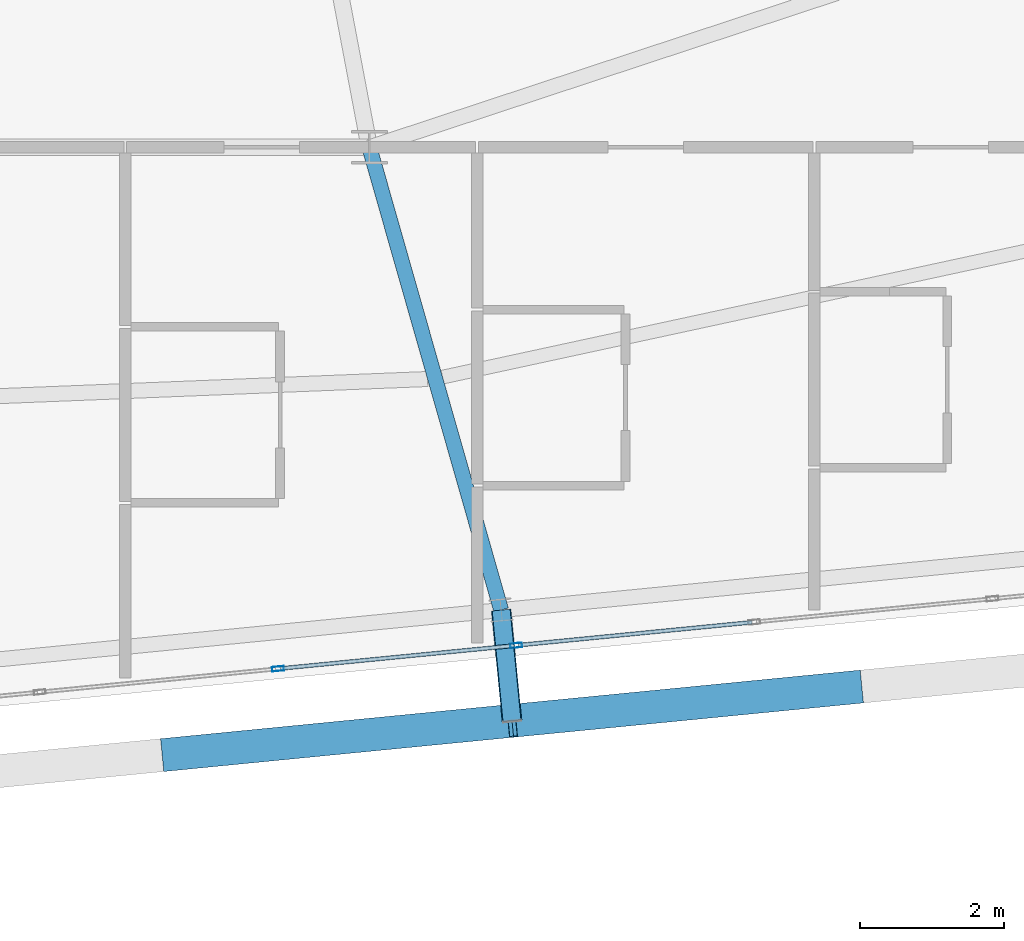
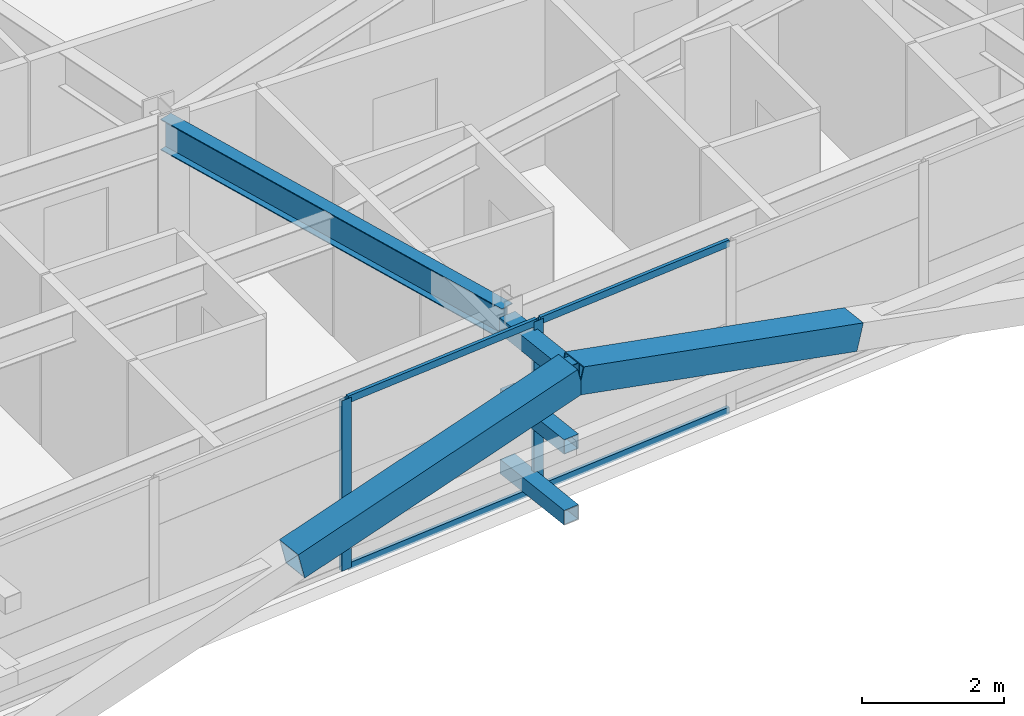
# One storey, part 17 of 54: 11 members, 1 beam, 1 element without a shape of its own.
"""IFC4 building model written with IfcOpenShell, lengths in metres."""

from ifc_helpers import new_model, si_unit, direction, frame, origin, origin_2d, place, context, subcontext, project, spatial, hollow_rectangle, i_section, extrude, source, transform, mapped, material, layer, layer_set, material_profile, profile_set, type_object, element, aggregate, save


model = new_model("IFC4")

# Units and contexts
model_context = context("Model", 3, precision=1e-05, world=origin(), true_north=direction((0.0, 1.0)))
body_context = subcontext(model_context, "Body", "Model", "MODEL_VIEW")
ifc_project = project(units=[si_unit("LENGTHUNIT", "METRE"), si_unit("AREAUNIT", "SQUARE_METRE"), si_unit("VOLUMEUNIT", "CUBIC_METRE"), si_unit("PLANEANGLEUNIT", "RADIAN"), si_unit("MASSUNIT", "GRAM", prefix="KILO")], contexts=[model_context])

# Site, building, storey
site_placement = place(None, origin())
site = spatial("IfcSite", under=ifc_project, at=site_placement, CompositionType="ELEMENT")
building_placement = place(site_placement, origin())
building = spatial("IfcBuilding", under=site, at=building_placement, Name="Taldren Reach Tower", CompositionType="ELEMENT")
storey_placement = place(building_placement, frame((0.0, 0.0, 99.75)))
storey = spatial("IfcBuildingStorey", under=building, at=storey_placement, Name="L30", CompositionType="ELEMENT", Elevation=99.75)

# Members
ifc_material_1 = material(Name="Steel Gr 450 (C450L0)", Category="steel")
ifc_material_profile_1 = material_profile(ifc_material_1, hollow_rectangle(XDim=0.27490234375, YDim=0.27490234375, WallThickness=0.00927734375, at=origin_2d()), Name="275x275x9.3SHS")
ifc_profile_set_1 = profile_set([ifc_material_profile_1], Name="Steel Gr 450 (C450L0)")
member_type_1 = type_object("IfcMemberType", Name="MB-TIE273", PredefinedType="STRUT", material=ifc_profile_set_1)
shared_shape_1 = source(origin(), body_context, "Body", "SweptSolid", [
    extrude(hollow_rectangle(XDim=0.27490234375, YDim=0.27490234375, WallThickness=0.00927734375, at=origin_2d()), origin(), (0.0, 0.0, 1.0), 1.5498046875),
])
member_1_placement = place(storey_placement, frame((43.83544921875, 2.75390625, 2.64990234375), z_axis=(0.097663201064, -0.995219523099, 0.0), x_axis=(0.995219523099, 0.097663201064, 0.0)))
element("IfcMember", 1, at=member_1_placement, inside=storey, type_object=member_type_1, Name="Exoskeleton diaphragm tie strut B2-S4 L30", PredefinedType="STRUT", context=body_context, shape_type="MappedRepresentation", body=[
    mapped(shared_shape_1, transform((0.0, 0.0, 0.0), scale=1.0)),
])
ifc_material_2 = material(Name="Steel Gr 350 (C350L0)", Category="steel")
ifc_material_profile_2 = material_profile(ifc_material_2, hollow_rectangle(XDim=0.25, YDim=0.25, WallThickness=0.010009765625, at=origin_2d()), Name="250x250x10.0SHS")
ifc_profile_set_2 = profile_set([ifc_material_profile_2], Name="Steel Gr 350 (C350L0)")
member_type_2 = type_object("IfcMemberType", Name="MB-POST250", PredefinedType="POST", material=ifc_profile_set_2)
shared_shape_2 = source(origin(), body_context, "Body", "SweptSolid", [
    extrude(hollow_rectangle(XDim=0.25, YDim=0.25, WallThickness=0.010009765625, at=origin_2d()), origin(), (0.0, 0.0, 1.0), 1.5498046875),
])
for number, where, z_axis, x_axis, name in (
    (2, (43.83544921875, 2.75390625, 0.219970703125), (0.097663201064, -0.995219523099, 0.0), (0.995219523099, 0.097663201064, 0.0), "Exoskeleton base diaphragm tie strut B2-S4 L30"),
    (3, (43.83544921875, 2.75390625, 1.43505859375), (0.097663201064, -0.995219523099, 0.0), (0.995219523099, 0.097663201064, 0.0), "Exoskeleton mid-tier diaphragm tie B2-S4 L30"),
):
    element("IfcMember", number, at=place(storey_placement, frame(where, z_axis=z_axis, x_axis=x_axis)), inside=storey, type_object=member_type_2, Name=name, PredefinedType="POST", context=body_context, shape_type="MappedRepresentation", body=[
        mapped(shared_shape_2, transform((0.0, 0.0, 0.0), scale=1.0)),
    ])

# Beam
ifc_material_3 = material(Name="Steel Gr 350 (350PLUS)", Category="steel")
ifc_material_profile_3 = material_profile(ifc_material_3, i_section(OverallWidth=0.208984375, OverallDepth=0.532958984375, WebThickness=0.01025390625, FlangeThickness=0.015625, at=origin_2d()), Name="530UB92.4")
ifc_profile_set_3 = profile_set([ifc_material_profile_3], Name="Steel Gr 350 (350PLUS)")
beam_type = type_object("IfcBeamType", Name="BM-UB530A", PredefinedType="BEAM", material=ifc_profile_set_3)
shared_shape_3 = source(origin(), body_context, "Body", "SweptSolid", [
    extrude(i_section(OverallWidth=0.208984375, OverallDepth=0.532958984375, WebThickness=0.01025390625, FlangeThickness=0.015625, at=origin_2d()), origin(), (0.0, 0.0, 1.0), 6.7021484375),
])
beam_placement = place(storey_placement, frame((42.0, 9.199951171875, 2.66357421875), z_axis=(0.273855026091, -0.961770983491, 0.0), x_axis=(0.961770983491, 0.273855026091, 0.0)))
element("IfcBeam", 4, at=beam_placement, inside=storey, type_object=beam_type, Name="Primary floor girder B2-S4 L30", PredefinedType="BEAM", context=body_context, shape_type="MappedRepresentation", body=[
    mapped(shared_shape_3, transform((0.0, 0.0, 0.0), scale=1.0)),
])

# Members
ifc_material_profile_4 = material_profile(ifc_material_1, hollow_rectangle(XDim=0.4599609375, YDim=0.4599609375, WallThickness=0.01611328125, at=origin_2d()), Name="460x460x16.0SHS")
ifc_profile_set_4 = profile_set([ifc_material_profile_4], Name="Steel Gr 450 (C450L0)")
member_type_3 = type_object("IfcMemberType", Name="MB-EXO457", PredefinedType="BRACE", material=ifc_profile_set_4)
shared_shape_4 = source(origin(), body_context, "Body", "SweptSolid", [
    extrude(hollow_rectangle(XDim=0.4599609375, YDim=0.4599609375, WallThickness=0.01611328125, at=origin_2d()), origin(), (0.0, 0.0, 1.0), 4.990234375),
])
for number, where, z_axis, x_axis, name in (
    (5, (39.169921875, 0.739013671875, 1.43505859375), (0.965282554799, 0.094669120301, 0.243448859234), (-0.097605711627, 0.995225162995, 0.0), "Exoskeleton Diagrid Brace B2-S3 L30"),
    (6, (48.8037109375, 1.68359375, 1.43505859375), (-0.965287024526, -0.094620633828, 0.24344998652), (0.097555749586, -0.995230061706, 0.0), "Exoskeleton Diagrid Brace B2-S4 L30"),
):
    element("IfcMember", number, at=place(storey_placement, frame(where, z_axis=z_axis, x_axis=x_axis)), inside=storey, type_object=member_type_3, Name=name, PredefinedType="BRACE", context=body_context, shape_type="MappedRepresentation", body=[
        mapped(shared_shape_4, transform((0.0, 0.0, 0.0), scale=1.0)),
    ])

# Curtain wall, members
ifc_material_4 = material(Name="Aluminium and Low-E Glass Unitised System", Category="aluminium")
ifc_layer = layer(ifc_material_4, 0.159912109375)
ifc_layer_set = layer_set([ifc_layer], Name="Aluminium and Low-E Glass Unitised System")
curtain_wall_type = type_object("IfcCurtainWallType", Name="CW-SYS-3", PredefinedType="NOTDEFINED", material=ifc_layer_set)
curtain_wall_placement = place(storey_placement, origin())
curtain_wall = element("IfcCurtainWall", 7, at=curtain_wall_placement, inside=storey, type_object=curtain_wall_type, Name="Unitised curtain wall CW-L30-S", PredefinedType="NOTDEFINED")
ifc_material_5 = material(Name="Anodised Aluminium 6063-T6", Category="aluminium")
ifc_material_profile_5 = material_profile(ifc_material_5, hollow_rectangle(XDim=0.06494140625, YDim=0.1650390625, WallThickness=0.00390625, at=origin_2d()), Name="ALU-165x65x4RHS")
ifc_profile_set_5 = profile_set([ifc_material_profile_5], Name="Anodised Aluminium 6063-T6")
member_type_4 = type_object("IfcMemberType", Name="CW-MUL-165", PredefinedType="MULLION", material=ifc_profile_set_5)
shared_shape_5 = source(origin(), body_context, "Body", "SweptSolid", [
    extrude(hollow_rectangle(XDim=0.06494140625, YDim=0.1650390625, WallThickness=0.00390625, at=origin_2d()), origin(), (0.0, 0.0, 1.0), 2.929931640625),
])
member_2_placement = place(storey_placement, frame((40.72705078125, 1.936767578125, 0.0), z_axis=(0.0, 0.0, 1.0), x_axis=(-0.097582999046, 0.995227390247, 0.0)))
member_2 = element("IfcMember", 8, at=member_2_placement, type_object=member_type_4, Name="CW-3 mullion 9", PredefinedType="MULLION", context=body_context, shape_type="MappedRepresentation", body=[
    mapped(shared_shape_5, transform((0.0, 0.0, 0.0), scale=1.0)),
])
member_3_placement = place(storey_placement, frame((44.044677734375, 2.261962890625, 0.0), z_axis=(0.0, 0.0, 1.0), x_axis=(-0.097582999046, 0.995227390247, 0.0)))
member_3 = element("IfcMember", 9, at=member_3_placement, type_object=member_type_4, Name="CW-3 mullion 10", PredefinedType="MULLION", context=body_context, shape_type="MappedRepresentation", body=[
    mapped(shared_shape_5, transform((0.0, 0.0, 0.0), scale=1.0)),
])
ifc_material_profile_6 = material_profile(ifc_material_5, hollow_rectangle(XDim=0.054931640625, YDim=0.1201171875, WallThickness=0.0029296875, at=origin_2d()), Name="ALU-120x55x3RHS")
ifc_profile_set_6 = profile_set([ifc_material_profile_6], Name="Anodised Aluminium 6063-T6")
member_type_5 = type_object("IfcMemberType", Name="CW-TRN-135", PredefinedType="USERDEFINED", material=ifc_profile_set_6)
shared_shape_6 = source(origin(), body_context, "Body", "SweptSolid", [
    extrude(hollow_rectangle(XDim=0.054931640625, YDim=0.1201171875, WallThickness=0.0029296875, at=origin_2d()), origin(), (0.0, 0.0, 1.0), 3.268310546875),
])
member_4_placement = place(storey_placement, frame((40.759521484375, 1.93994140625, 0.027587890625), z_axis=(0.99522980512, 0.097558367146, 0.0), x_axis=(-0.097558367146, 0.99522980512, 0.0)))
member_4 = element("IfcMember", 10, at=member_4_placement, type_object=member_type_5, Name="CW-3 transom 9.1", ObjectType="TRANSOM", PredefinedType="USERDEFINED", context=body_context, shape_type="MappedRepresentation", body=[
    mapped(shared_shape_6, transform((0.0, 0.0, 0.0), scale=1.0)),
])
member_5_placement = place(storey_placement, frame((40.759521484375, 1.93994140625, 2.902587890625), z_axis=(0.99522980512, 0.097558367146, 0.0), x_axis=(-0.097558367146, 0.99522980512, 0.0)))
member_5 = element("IfcMember", 11, at=member_5_placement, type_object=member_type_5, Name="CW-3 transom 9.2", ObjectType="TRANSOM", PredefinedType="USERDEFINED", context=body_context, shape_type="MappedRepresentation", body=[
    mapped(shared_shape_6, transform((0.0, 0.0, 0.0), scale=1.0)),
])
member_6_placement = place(storey_placement, frame((44.076904296875, 2.26513671875, 0.027587890625), z_axis=(0.99522980512, 0.097558367146, 0.0), x_axis=(-0.097558367146, 0.99522980512, 0.0)))
member_6 = element("IfcMember", 12, at=member_6_placement, type_object=member_type_5, Name="CW-3 transom 10.1", ObjectType="TRANSOM", PredefinedType="USERDEFINED", context=body_context, shape_type="MappedRepresentation", body=[
    mapped(shared_shape_6, transform((0.0, 0.0, 0.0), scale=1.0)),
])
member_7_placement = place(storey_placement, frame((44.076904296875, 2.26513671875, 2.902587890625), z_axis=(0.99522980512, 0.097558367146, 0.0), x_axis=(-0.097558367146, 0.99522980512, 0.0)))
member_7 = element("IfcMember", 13, at=member_7_placement, type_object=member_type_5, Name="CW-3 transom 10.2", ObjectType="TRANSOM", PredefinedType="USERDEFINED", context=body_context, shape_type="MappedRepresentation", body=[
    mapped(shared_shape_6, transform((0.0, 0.0, 0.0), scale=1.0)),
])
aggregate(curtain_wall, [member_2, member_3, member_4, member_5, member_6, member_7])

save(model, "model.ifc")
